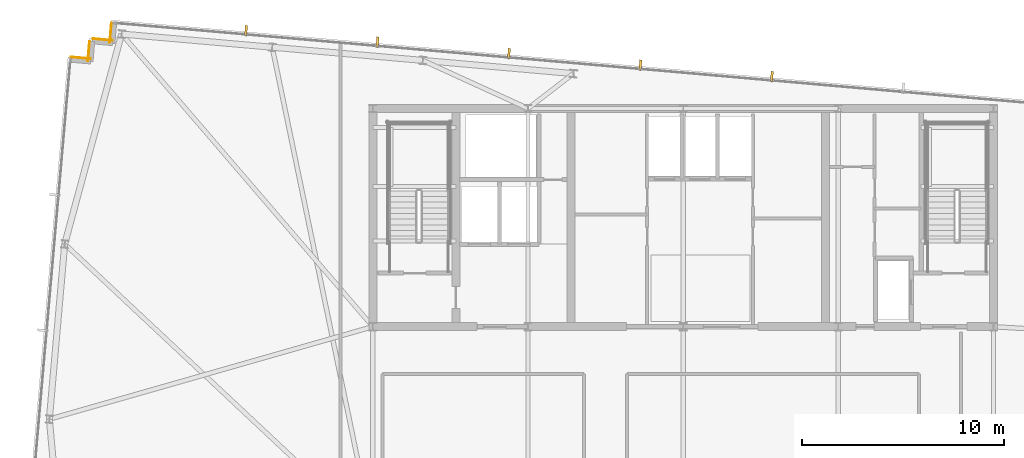
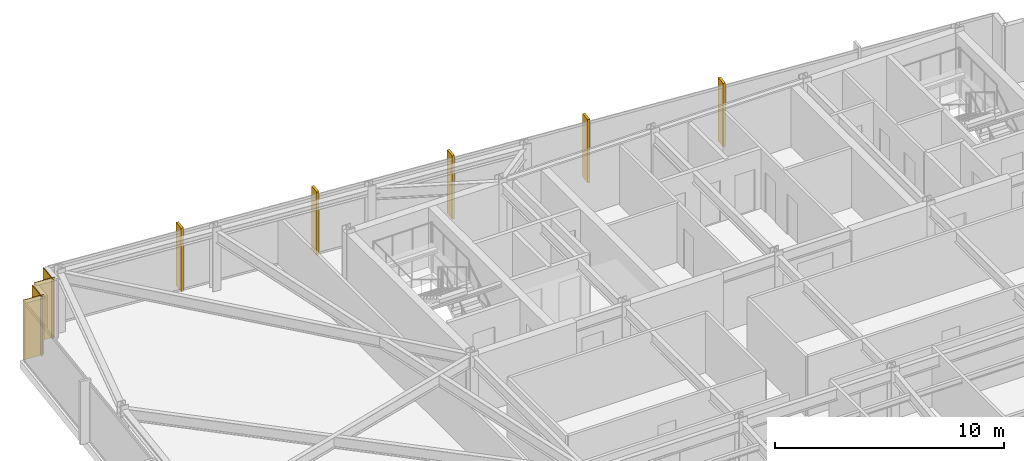
# One storey, part 32 of 32: 5 shading devices, 4 coverings.
"""IFC4 building model written with IfcOpenShell, lengths in metres."""

from ifc_helpers import new_model, si_unit, direction, frame, frame_2d, origin, origin_2d, place, context, subcontext, project, spatial, rectangle, extrude, material, layer, layer_set, type_object, element, save


model = new_model("IFC4")

# Units and contexts
model_context = context("Model", 3, precision=1e-05, world=origin(), true_north=direction((0.0, 1.0)))
body_context = subcontext(model_context, "Body", "Model", "MODEL_VIEW")
ifc_project = project(units=[si_unit("LENGTHUNIT", "METRE"), si_unit("AREAUNIT", "SQUARE_METRE"), si_unit("VOLUMEUNIT", "CUBIC_METRE"), si_unit("PLANEANGLEUNIT", "RADIAN"), si_unit("MASSUNIT", "GRAM", prefix="KILO")], contexts=[model_context])

# Site, building, storey
site_placement = place(None, origin())
site = spatial("IfcSite", under=ifc_project, at=site_placement, CompositionType="ELEMENT")
building_placement = place(site_placement, origin())
building = spatial("IfcBuilding", under=site, at=building_placement, Name="Yelkora Congress Tower", CompositionType="ELEMENT")
storey_placement = place(building_placement, frame((0.0, 0.0, 259.10009765625)))
storey = spatial("IfcBuildingStorey", under=building, at=storey_placement, Name="L72", CompositionType="ELEMENT", Elevation=259.10009765625)

# Coverings
ifc_material_1 = material(Name="Anatolian bush-hammered limestone", Category="masonry")
ifc_layer_1 = layer(ifc_material_1, 0.0400390625)
ifc_layer_set_1 = layer_set([ifc_layer_1], Name="Anatolian bush-hammered limestone")
covering_type = type_object("IfcCoveringType", Name="COV-CLAD-SPANDREL-40", PredefinedType="CLADDING", material=ifc_layer_set_1)
for number, where, z_axis, x_axis, name in (
    (1, (8.0849609375, 48.744140625, 0.0), (0.0, 0.0, 1.0), (0.996195572005, -0.087145753297, 0.0), "L72 Anatolian Limestone Cladding EW-L72-SR06"),
    (2, (8.93505859375, 48.5341796875, 0.0), (0.0, 0.0, 1.0), (0.087145753297, 0.996195572005, 0.0), "L72 Anatolian Limestone Cladding EW-L72-SR07"),
):
    element("IfcCovering", number, at=place(storey_placement, frame(where, z_axis=z_axis, x_axis=x_axis)), inside=storey, type_object=covering_type, Name=name, PredefinedType="CLADDING", context=body_context, shape_type="SweptSolid", body=[
        extrude(rectangle(XDim=1.000244140625, YDim=0.0400390625, at=frame_2d((0.5, 0.0))), origin(), (0.0, 0.0, 1.0), 3.179931640625),
    ])
covering_1_placement = place(storey_placement, frame((9.16845703125, 49.6533203125, 0.0), z_axis=(0.0, 0.0, 1.0), x_axis=(0.996193717496, -0.087166950281, 0.0)))
element("IfcCovering", 3, at=covering_1_placement, inside=storey, type_object=covering_type, Name="L72 Anatolian Limestone Cladding EW-L72-SR08", PredefinedType="CLADDING", context=body_context, shape_type="SweptSolid", body=[
    extrude(rectangle(XDim=1.0, YDim=0.0400390625, at=frame_2d((0.5, 0.0))), origin(), (0.0, 0.0, 1.0), 3.179931640625),
])
covering_2_placement = place(storey_placement, frame((10.018310546875, 49.443359375, 0.0), z_axis=(0.0, 0.0, 1.0), x_axis=(0.087145753297, 0.996195572005, 0.0)))
element("IfcCovering", 4, at=covering_2_placement, inside=storey, type_object=covering_type, Name="L72 Anatolian Limestone Cladding EW-L72-SR09", PredefinedType="CLADDING", context=body_context, shape_type="SweptSolid", body=[
    extrude(rectangle(XDim=1.000244140625, YDim=0.0400390625, at=frame_2d((0.5, 0.0))), origin(), (0.0, 0.0, 1.0), 3.179931640625),
])

# Shading devices
ifc_material_2 = material(Name="Champagne anodised aluminium", Category="aluminium")
ifc_layer_2 = layer(ifc_material_2, 3.300048828125)
ifc_layer_set_2 = layer_set([ifc_layer_2], Name="Champagne anodised aluminium")
shading_device_type = type_object("IfcShadingDeviceType", Name="SHD-FIN-ALU-520", PredefinedType="USERDEFINED", material=ifc_layer_set_2)
for number, where, z_axis, x_axis, name in (
    (5, (16.763916015625, 50.057861328125, -0.030029296875), (0.0, 0.0, 1.0), (0.996194698092, -0.087155742748, 0.0), "L72 Vertical Anodised Solar Fin 10-1"),
    (6, (23.2705078125, 49.488525390625, -0.030029296875), (0.0, 0.0, 1.0), (0.996194698092, -0.087155742748, 0.0), "L72 Vertical Anodised Solar Fin 10-2"),
    (7, (29.777099609375, 48.919189453125, -0.030029296875), (0.0, 0.0, 1.0), (0.996194698092, -0.087155742748, 0.0), "L72 Vertical Anodised Solar Fin 10-3"),
    (8, (36.28369140625, 48.35009765625, -0.030029296875), (0.0, 0.0, 1.0), (0.996194698092, -0.087155742748, 0.0), "L72 Vertical Anodised Solar Fin 10-4"),
    (9, (42.790283203125, 47.78076171875, -0.030029296875), (0.0, 0.0, 1.0), (0.996194698092, -0.087155742748, 0.0), "L72 Vertical Anodised Solar Fin 10-5"),
):
    element("IfcShadingDevice", number, at=place(storey_placement, frame(where, z_axis=z_axis, x_axis=x_axis)), inside=storey, type_object=shading_device_type, Name=name, ObjectType="FIN", PredefinedType="USERDEFINED", context=body_context, shape_type="SweptSolid", body=[
        extrude(rectangle(XDim=0.1201171875, YDim=0.52001953125, at=origin_2d()), origin(), (0.0, 0.0, 1.0), 3.3798828125),
    ])

save(model, "model.ifc")
